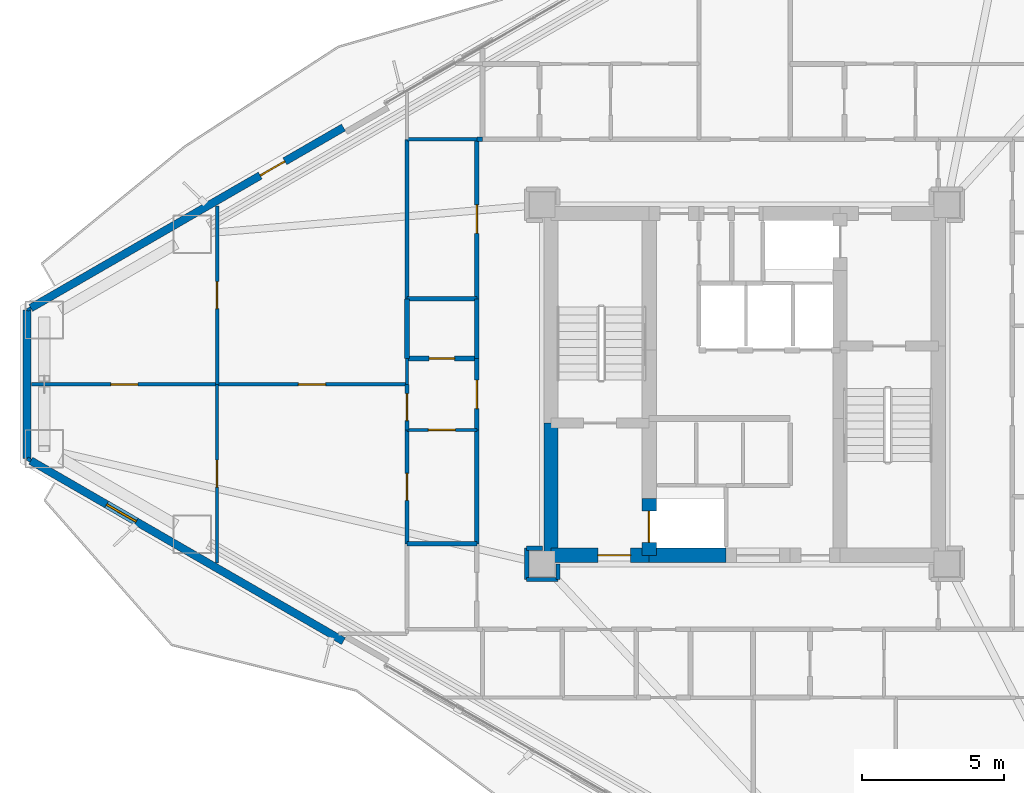
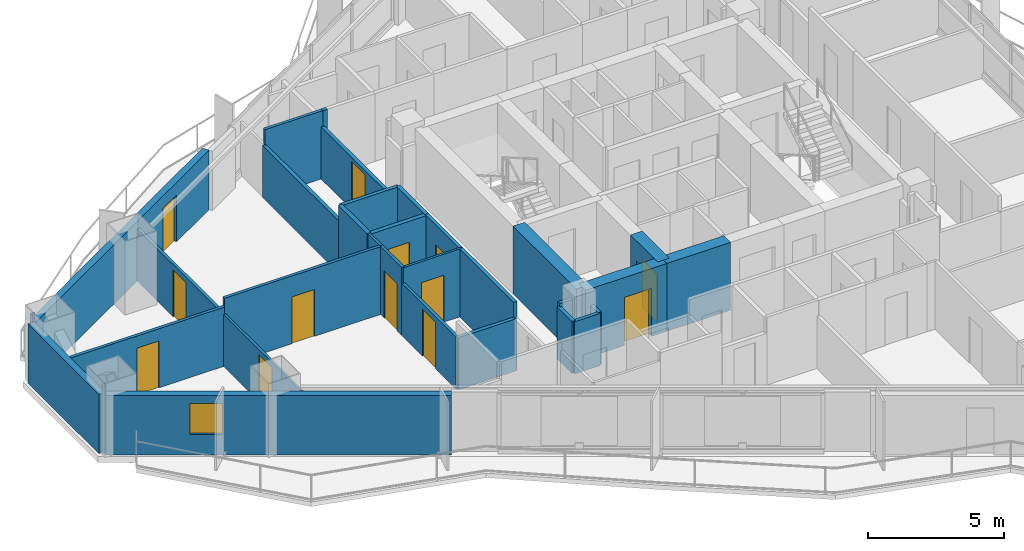
# One storey, part 13 of 19: 32 walls, 13 doors, 1 window, 14 openings.
"""IFC4 building model written with IfcOpenShell, lengths in metres."""

from ifc_helpers import new_model, si_unit, direction, frame, frame_2d, origin, place, context, subcontext, project, spatial, rectangle, extrude, material, layer, layer_set, type_object, element, fill, save


model = new_model("IFC4")

# Units and contexts
model_context = context("Model", 3, precision=1e-05, world=origin(), true_north=direction((0.0, 1.0)))
body_context = subcontext(model_context, "Body", "Model", "MODEL_VIEW")
ifc_project = project(units=[si_unit("LENGTHUNIT", "METRE"), si_unit("AREAUNIT", "SQUARE_METRE"), si_unit("VOLUMEUNIT", "CUBIC_METRE"), si_unit("PLANEANGLEUNIT", "RADIAN"), si_unit("MASSUNIT", "GRAM", prefix="KILO")], contexts=[model_context])

# Site, building, storey
site_placement = place(None, origin())
site = spatial("IfcSite", under=ifc_project, at=site_placement, CompositionType="ELEMENT")
building_placement = place(site_placement, origin())
building = spatial("IfcBuilding", under=site, at=building_placement, Name="Mersakhor Tower and Convention Hall", CompositionType="ELEMENT")
storey_placement = place(building_placement, frame((0.0, 0.0, 48.89990234375)))
storey = spatial("IfcBuildingStorey", under=building, at=storey_placement, Name="L13", CompositionType="ELEMENT", Elevation=48.89990234375)

# Wall
ifc_material_1 = material(Name="Precast concrete C45/55", Category="concrete")
ifc_layer_1 = layer(ifc_material_1, 0.27490234375)
ifc_layer_set_1 = layer_set([ifc_layer_1], Name="Precast concrete C45/55")
wall_type_1 = type_object("IfcWallType", Name="WL-EXT-275", PredefinedType="SOLIDWALL", material=ifc_layer_set_1)
wall_1_placement = place(storey_placement, frame((3.81298828125, 24.144287109375, 0.0), z_axis=(0.0, 0.0, 1.0), x_axis=(0.0, 1.0, 0.0)))
element("IfcWall", 1, at=wall_1_placement, inside=storey, type_object=wall_type_1, Name="L13 Chamfer Braced Spandrel Wall C3", PredefinedType="SOLIDWALL", context=body_context, shape_type="SweptSolid", body=[
    extrude(rectangle(XDim=5.21142578125, YDim=0.27490234375, at=frame_2d((2.605712890625, 0.0))), origin(), (0.0, 0.0, 1.0), 2.66015625),
])

# Wall, opening, door
wall_2_placement = place(storey_placement, frame((3.943115234375, 29.4306640625, 0.0), z_axis=(0.0, 0.0, 1.0), x_axis=(0.866027105532, 0.499997052475, 0.0)))
wall_2 = element("IfcWall", 2, at=wall_2_placement, inside=storey, type_object=wall_type_1, Name="L13 Exterior Facade Wall F1-B1", PredefinedType="SOLIDWALL", context=body_context, shape_type="SweptSolid", body=[
    extrude(rectangle(XDim=12.6728515625, YDim=0.27490234375, at=frame_2d((6.33642578125, 0.0))), origin(), (0.0, 0.0, 1.0), 2.66015625),
])
opening_1_placement = place(wall_2_placement, frame((9.298095703125, 0.0, 0.0)))
opening_1 = element("IfcOpeningElement", 3, at=opening_1_placement, cuts=wall_2, Name="Opening BD-01", PredefinedType="OPENING", context=body_context, shape_type="SweptSolid", body=[
    extrude(rectangle(XDim=1.0, YDim=2.10009765625, at=frame_2d((0.5, 1.050048828125))), frame((0.0, 0.1474609375, 0.0), z_axis=(0.0, -1.0, 0.0), x_axis=(1.0, 0.0, 0.0)), (0.0, 0.0, 1.0), 0.294921875),
])
ifc_material_2 = material(Name="Thermally broken dark aluminium and safety glass", Category="aluminium")
door_type_1 = type_object("IfcDoorType", Name="DR-BAL-100x210", OperationType="NOTDEFINED", PredefinedType="DOOR", material=ifc_material_2)
door_1_placement = place(opening_1_placement, origin())
door_1 = element("IfcDoor", 4, at=door_1_placement, inside=storey, type_object=door_type_1, Name="L13 Balcony Terrace Door F1-B1", OperationType="SINGLE_SWING_LEFT", OverallHeight=2.10009765625, OverallWidth=1.0, PredefinedType="DOOR", context=body_context, shape_type="SweptSolid", body=[
    extrude(rectangle(XDim=1.0, YDim=2.10009765625, at=frame_2d((0.5, 1.050048828125))), frame((0.0, 0.02490234375, 0.0), z_axis=(0.0, -1.0, 0.0), x_axis=(1.0, 0.0, 0.0)), (0.0, 0.0, 1.0), 0.050048828125),
])
fill(opening_1, door_1)

# Wall, opening, window
wall_3_placement = place(storey_placement, frame((14.918212890625, 17.73291015625, 0.0), z_axis=(0.0, 0.0, 1.0), x_axis=(-0.866027105532, 0.499997052475, 0.0)))
wall_3 = element("IfcWall", 5, at=wall_3_placement, inside=storey, type_object=wall_type_1, Name="L13 Exterior Facade Wall F3-B3", PredefinedType="SOLIDWALL", context=body_context, shape_type="SweptSolid", body=[
    extrude(rectangle(XDim=12.6728515625, YDim=0.27490234375, at=frame_2d((6.33642578125, 0.0))), origin(), (0.0, 0.0, 1.0), 2.66015625),
])
opening_2_placement = place(wall_3_placement, frame((8.402099609375, 0.0, 0.89990234375)))
opening_2 = element("IfcOpeningElement", 6, at=opening_2_placement, cuts=wall_3, Name="Opening W-01", PredefinedType="OPENING", context=body_context, shape_type="SweptSolid", body=[
    extrude(rectangle(XDim=1.199951171875, YDim=1.39990234375, at=frame_2d((0.60009765625, 0.699951171875))), frame((0.0, 0.1474609375, 0.0), z_axis=(0.0, -1.0, 0.0), x_axis=(1.0, 0.0, 0.0)), (0.0, 0.0, 1.0), 0.294921875),
])
ifc_material_3 = material(Name="Dark solar low-E glazed aluminium window", Category="aluminium")
window_type = type_object("IfcWindowType", Name="WN-RES-120x150", PartitioningType="SINGLE_PANEL", PredefinedType="WINDOW", material=ifc_material_3)
window_placement = place(opening_2_placement, origin())
window = element("IfcWindow", 7, at=window_placement, inside=storey, type_object=window_type, Name="L13 Bedroom Facade Window F3-B3-1", OverallHeight=1.39990234375, OverallWidth=1.199951171875, PartitioningType="SINGLE_PANEL", PredefinedType="WINDOW", context=body_context, shape_type="SweptSolid", body=[
    extrude(rectangle(XDim=1.199951171875, YDim=1.39990234375, at=frame_2d((0.60009765625, 0.699951171875))), frame((0.0, 0.030029296875, 0.0), z_axis=(0.0, -1.0, 0.0), x_axis=(1.0, 0.0, 0.0)), (0.0, 0.0, 1.0), 0.06005859375),
])
fill(opening_2, window)

# Wall, opening, door
ifc_material_4 = material(Name="Moisture-resistant acoustic drywall studwork", Category="other")
ifc_layer_2 = layer(ifc_material_4, 0.175048828125)
ifc_layer_set_2 = layer_set([ifc_layer_2], Name="Moisture-resistant acoustic drywall studwork")
wall_type_2 = type_object("IfcWallType", Name="WL-PLM-175", PredefinedType="PLUMBINGWALL", material=ifc_layer_set_2)
wall_4_placement = place(storey_placement, frame((17.14990234375, 27.64990234375, 0.0), z_axis=(0.0, 0.0, 1.0), x_axis=(1.0, 0.0, 0.0)))
wall_4 = element("IfcWall", 8, at=wall_4_placement, inside=storey, type_object=wall_type_2, Name="L13 Interior Partition Wall P-077", PredefinedType="PLUMBINGWALL", context=body_context, shape_type="SweptSolid", body=[
    extrude(rectangle(XDim=2.4501953125, YDim=0.175048828125, at=frame_2d((1.22509765625, 0.0))), origin(), (0.0, 0.0, 1.0), 3.0400390625),
])
opening_3_placement = place(wall_4_placement, frame((0.77490234375, 0.0, 0.0)))
opening_3 = element("IfcOpeningElement", 9, at=opening_3_placement, cuts=wall_4, Name="Opening WD-01", PredefinedType="OPENING", context=body_context, shape_type="SweptSolid", body=[
    extrude(rectangle(XDim=0.89990234375, YDim=2.10009765625, at=frame_2d((0.449951171875, 1.050048828125))), frame((0.0, 0.097412109375, 0.0), z_axis=(0.0, -1.0, 0.0), x_axis=(1.0, 0.0, 0.0)), (0.0, 0.0, 1.0), 0.195068359375),
])
ifc_material_5 = material(Name="Solid-core hardwood leaf in painted steel frame", Category="steel")
door_type_2 = type_object("IfcDoorType", Name="DR-INT-WET-090x210", OperationType="NOTDEFINED", PredefinedType="DOOR", material=ifc_material_5)
door_2_placement = place(opening_3_placement, origin())
door_2 = element("IfcDoor", 10, at=door_2_placement, inside=storey, type_object=door_type_2, Name="L13 L13 Flat W5 Apartment Hall to L13 Flat W5 Bathroom Door", OperationType="SINGLE_SWING_LEFT", OverallHeight=2.10009765625, OverallWidth=0.89990234375, PredefinedType="DOOR", context=body_context, shape_type="SweptSolid", body=[
    extrude(rectangle(XDim=0.89990234375, YDim=2.10009765625, at=frame_2d((0.449951171875, 1.050048828125))), frame((0.0, 0.02490234375, 0.0), z_axis=(0.0, -1.0, 0.0), x_axis=(1.0, 0.0, 0.0)), (0.0, 0.0, 1.0), 0.050048828125),
])
fill(opening_3, door_2)

# Walls
wall_5_placement = place(storey_placement, frame((17.14990234375, 27.64990234375, 0.0), z_axis=(0.0, 0.0, 1.0), x_axis=(0.0, 1.0, 0.0)))
element("IfcWall", 11, at=wall_5_placement, inside=storey, type_object=wall_type_2, Name="L13 Interior Partition Wall P-095", PredefinedType="PLUMBINGWALL", context=body_context, shape_type="SweptSolid", body=[
    extrude(rectangle(XDim=2.10009765625, YDim=0.175048828125, at=frame_2d((1.050048828125, 0.0))), origin(), (0.0, 0.0, 1.0), 3.0400390625),
])
ifc_material_6 = material(Name="Lightweight gypsum partition", Category="other")
ifc_layer_3 = layer(ifc_material_6, 0.10009765625)
ifc_layer_set_3 = layer_set([ifc_layer_3], Name="Lightweight gypsum partition")
wall_type_3 = type_object("IfcWallType", Name="WL-PRT-100", PredefinedType="PARTITIONING", material=ifc_layer_set_3)
wall_6_placement = place(storey_placement, frame((17.14990234375, 26.75, 0.0), z_axis=(0.0, 0.0, 1.0), x_axis=(0.0, 1.0, 0.0)))
element("IfcWall", 12, at=wall_6_placement, inside=storey, type_object=wall_type_3, Name="L13 Interior Partition Wall P-076", PredefinedType="PARTITIONING", context=body_context, shape_type="SweptSolid", body=[
    extrude(rectangle(XDim=0.89990234375, YDim=0.10009765625, at=frame_2d((0.449951171875, 0.0))), origin(), (0.0, 0.0, 1.0), 3.0400390625),
])

# Wall, opening, door
wall_7_placement = place(storey_placement, frame((19.60009765625, 25.14990234375, 0.0), z_axis=(0.0, 0.0, 1.0), x_axis=(-1.0, 0.0, 0.0)))
wall_7 = element("IfcWall", 13, at=wall_7_placement, inside=storey, type_object=wall_type_3, Name="L13 Interior Partition Wall P-078", PredefinedType="PARTITIONING", context=body_context, shape_type="SweptSolid", body=[
    extrude(rectangle(XDim=2.4501953125, YDim=0.10009765625, at=frame_2d((1.22509765625, 0.0))), origin(), (0.0, 0.0, 1.0), 3.0400390625),
])
opening_4_placement = place(wall_7_placement, frame((0.75, 0.0, 0.0)))
opening_4 = element("IfcOpeningElement", 14, at=opening_4_placement, cuts=wall_7, Name="Opening RD-01", PredefinedType="OPENING", context=body_context, shape_type="SweptSolid", body=[
    extrude(rectangle(XDim=0.949951171875, YDim=2.10009765625, at=frame_2d((0.47509765625, 1.050048828125))), frame((0.0, 0.06005859375, 0.0), z_axis=(0.0, -1.0, 0.0), x_axis=(1.0, 0.0, 0.0)), (0.0, 0.0, 1.0), 0.1201171875),
])
ifc_material_7 = material(Name="Solid-core hardwood leaf in painted steel frame", Category="steel")
door_type_3 = type_object("IfcDoorType", Name="DR-INT-RM-095x210", OperationType="NOTDEFINED", PredefinedType="DOOR", material=ifc_material_7)
door_3_placement = place(opening_4_placement, origin())
door_3 = element("IfcDoor", 15, at=door_3_placement, inside=storey, type_object=door_type_3, Name="L13 L13 Flat W5 Apartment Hall to L13 Flat W5 Kitchen Door", OperationType="SINGLE_SWING_RIGHT", OverallHeight=2.10009765625, OverallWidth=0.949951171875, PredefinedType="DOOR", context=body_context, shape_type="SweptSolid", body=[
    extrude(rectangle(XDim=0.949951171875, YDim=2.10009765625, at=frame_2d((0.47509765625, 1.050048828125))), frame((0.0, 0.02490234375, 0.0), z_axis=(0.0, -1.0, 0.0), x_axis=(1.0, 0.0, 0.0)), (0.0, 0.0, 1.0), 0.050048828125),
])
fill(opening_4, door_3)

# Wall
wall_8_placement = place(storey_placement, frame((3.81298828125, 29.35595703125, 0.0), z_axis=(0.0, 0.0, 1.0), x_axis=(0.866131372301, 0.499816412211, 0.0)))
element("IfcWall", 16, at=wall_8_placement, inside=storey, type_object=wall_type_3, Name="L13 Interior Partition Wall P-124", PredefinedType="PARTITIONING", context=body_context, shape_type="SweptSolid", body=[
    extrude(rectangle(XDim=0.14990234375, YDim=0.10009765625, at=frame_2d((0.074951171875, 0.0))), origin(), (0.0, 0.0, 1.0), 3.0400390625),
])

# Wall, opening, door
wall_9_placement = place(storey_placement, frame((10.47998046875, 26.75, 0.0), z_axis=(0.0, 0.0, 1.0), x_axis=(0.0, -1.0, 0.0)))
wall_9 = element("IfcWall", 17, at=wall_9_placement, inside=storey, type_object=wall_type_3, Name="L13 Interior Partition Wall P-128", PredefinedType="PARTITIONING", context=body_context, shape_type="SweptSolid", body=[
    extrude(rectangle(XDim=6.268310546875, YDim=0.10009765625, at=frame_2d((3.13427734375, 0.0))), origin(), (0.0, 0.0, 1.0), 2.337646484375),
])
opening_5_placement = place(wall_9_placement, frame((2.6591796875, 0.0, 0.0)))
opening_5 = element("IfcOpeningElement", 18, at=opening_5_placement, cuts=wall_9, Name="Opening RD-01", PredefinedType="OPENING", context=body_context, shape_type="SweptSolid", body=[
    extrude(rectangle(XDim=0.949951171875, YDim=2.10009765625, at=frame_2d((0.47509765625, 1.050048828125))), frame((0.0, 0.06005859375, 0.0), z_axis=(0.0, -1.0, 0.0), x_axis=(1.0, 0.0, 0.0)), (0.0, 0.0, 1.0), 0.1201171875),
])
door_4_placement = place(opening_5_placement, origin())
door_4 = element("IfcDoor", 19, at=door_4_placement, inside=storey, type_object=door_type_3, Name="L13 L13 Flat W5 Master Bedroom to L13 Flat W5 Dining Room Door", OperationType="SINGLE_SWING_RIGHT", OverallHeight=2.10009765625, OverallWidth=0.949951171875, PredefinedType="DOOR", context=body_context, shape_type="SweptSolid", body=[
    extrude(rectangle(XDim=0.949951171875, YDim=2.10009765625, at=frame_2d((0.47509765625, 1.050048828125))), frame((0.0, 0.02490234375, 0.0), z_axis=(0.0, -1.0, 0.0), x_axis=(1.0, 0.0, 0.0)), (0.0, 0.0, 1.0), 0.050048828125),
])
fill(opening_5, door_4)

ifc_material_8 = material(Name="Gypsum board acoustic partition", Category="other")
ifc_layer_4 = layer(ifc_material_8, 0.125)
ifc_layer_set_4 = layer_set([ifc_layer_4], Name="Gypsum board acoustic partition")
wall_type_4 = type_object("IfcWallType", Name="WL-PRT-125", PredefinedType="PARTITIONING", material=ifc_layer_set_4)
wall_10_placement = place(storey_placement, frame((17.14990234375, 25.14990234375, 0.0), z_axis=(0.0, 0.0, 1.0), x_axis=(0.0, 1.0, 0.0)))
wall_10 = element("IfcWall", 20, at=wall_10_placement, inside=storey, type_object=wall_type_4, Name="L13 Interior Partition Wall P-075", PredefinedType="PARTITIONING", context=body_context, shape_type="SweptSolid", body=[
    extrude(rectangle(XDim=1.60009765625, YDim=0.125, at=frame_2d((0.800048828125, 0.0))), origin(), (0.0, 0.0, 1.0), 3.0400390625),
])
opening_6_placement = place(wall_10_placement, frame((0.324951171875, 0.0, 0.0)))
opening_6 = element("IfcOpeningElement", 21, at=opening_6_placement, cuts=wall_10, Name="Opening RD-01", PredefinedType="OPENING", context=body_context, shape_type="SweptSolid", body=[
    extrude(rectangle(XDim=0.949951171875, YDim=2.10009765625, at=frame_2d((0.47509765625, 1.050048828125))), frame((0.0, 0.072509765625, 0.0), z_axis=(0.0, -1.0, 0.0), x_axis=(1.0, 0.0, 0.0)), (0.0, 0.0, 1.0), 0.14501953125),
])
door_5_placement = place(opening_6_placement, origin())
door_5 = element("IfcDoor", 22, at=door_5_placement, inside=storey, type_object=door_type_3, Name="L13 L13 Flat W5 Apartment Hall to L13 Flat W5 Dining Room Door", OperationType="SINGLE_SWING_LEFT", OverallHeight=2.10009765625, OverallWidth=0.949951171875, PredefinedType="DOOR", context=body_context, shape_type="SweptSolid", body=[
    extrude(rectangle(XDim=0.949951171875, YDim=2.10009765625, at=frame_2d((0.47509765625, 1.050048828125))), frame((0.0, 0.02490234375, 0.0), z_axis=(0.0, -1.0, 0.0), x_axis=(1.0, 0.0, 0.0)), (0.0, 0.0, 1.0), 0.050048828125),
])
fill(opening_6, door_5)

wall_11_placement = place(storey_placement, frame((17.14990234375, 21.14990234375, 0.0), z_axis=(0.0, 0.0, 1.0), x_axis=(0.0, 1.0, 0.0)))
wall_11 = element("IfcWall", 23, at=wall_11_placement, inside=storey, type_object=wall_type_4, Name="L13 Interior Partition Wall P-097", PredefinedType="PARTITIONING", context=body_context, shape_type="SweptSolid", body=[
    extrude(rectangle(XDim=4.0, YDim=0.125, at=frame_2d((2.0, 0.0))), origin(), (0.0, 0.0, 1.0), 2.337646484375),
])
opening_7_placement = place(wall_11_placement, frame((1.52490234375, 0.0, 0.0)))
opening_7 = element("IfcOpeningElement", 24, at=opening_7_placement, cuts=wall_11, Name="Opening RD-01", PredefinedType="OPENING", context=body_context, shape_type="SweptSolid", body=[
    extrude(rectangle(XDim=0.949951171875, YDim=2.10009765625, at=frame_2d((0.47509765625, 1.050048828125))), frame((0.0, 0.072509765625, 0.0), z_axis=(0.0, -1.0, 0.0), x_axis=(1.0, 0.0, 0.0)), (0.0, 0.0, 1.0), 0.14501953125),
])
door_6_placement = place(opening_7_placement, origin())
door_6 = element("IfcDoor", 25, at=door_6_placement, inside=storey, type_object=door_type_3, Name="L13 L13 Flat W5 Kitchen to L13 Flat W5 Dining Room Door", OperationType="SINGLE_SWING_LEFT", OverallHeight=2.10009765625, OverallWidth=0.949951171875, PredefinedType="DOOR", context=body_context, shape_type="SweptSolid", body=[
    extrude(rectangle(XDim=0.949951171875, YDim=2.10009765625, at=frame_2d((0.47509765625, 1.050048828125))), frame((0.0, 0.02490234375, 0.0), z_axis=(0.0, -1.0, 0.0), x_axis=(1.0, 0.0, 0.0)), (0.0, 0.0, 1.0), 0.050048828125),
])
fill(opening_7, door_6)

# Wall
wall_12_placement = place(storey_placement, frame((17.14990234375, 35.35009765625, 0.0), z_axis=(0.0, 0.0, 1.0), x_axis=(1.0, 0.0, 0.0)))
element("IfcWall", 26, at=wall_12_placement, inside=storey, type_object=wall_type_4, Name="L13 Interior Partition Wall P-103", PredefinedType="PARTITIONING", context=body_context, shape_type="SweptSolid", body=[
    extrude(rectangle(XDim=2.4501953125, YDim=0.125, at=frame_2d((1.22509765625, 0.0))), origin(), (0.0, 0.0, 1.0), 3.0400390625),
])

# Wall, opening, door
wall_13_placement = place(storey_placement, frame((10.47998046875, 26.75, 0.0), z_axis=(0.0, 0.0, 1.0), x_axis=(-1.0, 0.0, 0.0)))
wall_13 = element("IfcWall", 27, at=wall_13_placement, inside=storey, type_object=wall_type_4, Name="L13 Interior Partition Wall P-123", PredefinedType="PARTITIONING", context=body_context, shape_type="SweptSolid", body=[
    extrude(rectangle(XDim=6.50537109375, YDim=0.125, at=frame_2d((3.252685546875, 0.0))), origin(), (0.0, 0.0, 1.0), 2.650390625),
])
opening_8_placement = place(wall_13_placement, frame((2.777587890625, 0.0, 0.0)))
opening_8 = element("IfcOpeningElement", 28, at=opening_8_placement, cuts=wall_13, Name="Opening RD-01", PredefinedType="OPENING", context=body_context, shape_type="SweptSolid", body=[
    extrude(rectangle(XDim=0.949951171875, YDim=2.10009765625, at=frame_2d((0.47509765625, 1.050048828125))), frame((0.0, 0.072509765625, 0.0), z_axis=(0.0, -1.0, 0.0), x_axis=(1.0, 0.0, 0.0)), (0.0, 0.0, 1.0), 0.14501953125),
])
door_7_placement = place(opening_8_placement, origin())
door_7 = element("IfcDoor", 29, at=door_7_placement, inside=storey, type_object=door_type_3, Name="L13 L13 Flat W5 Living and Dining Room to L13 Flat W5 Master Bedroom Door", OperationType="SINGLE_SWING_RIGHT", OverallHeight=2.10009765625, OverallWidth=0.949951171875, PredefinedType="DOOR", context=body_context, shape_type="SweptSolid", body=[
    extrude(rectangle(XDim=0.949951171875, YDim=2.10009765625, at=frame_2d((0.47509765625, 1.050048828125))), frame((0.0, 0.02490234375, 0.0), z_axis=(0.0, -1.0, 0.0), x_axis=(1.0, 0.0, 0.0)), (0.0, 0.0, 1.0), 0.050048828125),
])
fill(opening_8, door_7)

wall_14_placement = place(storey_placement, frame((10.47998046875, 33.018310546875, 0.0), z_axis=(0.0, 0.0, 1.0), x_axis=(0.0, -1.0, 0.0)))
wall_14 = element("IfcWall", 30, at=wall_14_placement, inside=storey, type_object=wall_type_4, Name="L13 Interior Partition Wall P-125", PredefinedType="PARTITIONING", context=body_context, shape_type="SweptSolid", body=[
    extrude(rectangle(XDim=6.268310546875, YDim=0.125, at=frame_2d((3.13427734375, 0.0))), origin(), (0.0, 0.0, 1.0), 2.337646484375),
])
opening_9_placement = place(wall_14_placement, frame((2.6591796875, 0.0, 0.0)))
opening_9 = element("IfcOpeningElement", 31, at=opening_9_placement, cuts=wall_14, Name="Opening RD-01", PredefinedType="OPENING", context=body_context, shape_type="SweptSolid", body=[
    extrude(rectangle(XDim=0.949951171875, YDim=2.10009765625, at=frame_2d((0.47509765625, 1.050048828125))), frame((0.0, 0.072509765625, 0.0), z_axis=(0.0, -1.0, 0.0), x_axis=(1.0, 0.0, 0.0)), (0.0, 0.0, 1.0), 0.14501953125),
])
door_8_placement = place(opening_9_placement, origin())
door_8 = element("IfcDoor", 32, at=door_8_placement, inside=storey, type_object=door_type_3, Name="L13 L13 Flat W5 Living and Dining Room to L13 Flat W5 Dining Room Door", OperationType="SINGLE_SWING_LEFT", OverallHeight=2.10009765625, OverallWidth=0.949951171875, PredefinedType="DOOR", context=body_context, shape_type="SweptSolid", body=[
    extrude(rectangle(XDim=0.949951171875, YDim=2.10009765625, at=frame_2d((0.47509765625, 1.050048828125))), frame((0.0, 0.02490234375, 0.0), z_axis=(0.0, -1.0, 0.0), x_axis=(1.0, 0.0, 0.0)), (0.0, 0.0, 1.0), 0.050048828125),
])
fill(opening_9, door_8)

wall_15_placement = place(storey_placement, frame((17.14990234375, 26.75, 0.0), z_axis=(0.0, 0.0, 1.0), x_axis=(-1.0, 0.0, 0.0)))
wall_15 = element("IfcWall", 33, at=wall_15_placement, inside=storey, type_object=wall_type_4, Name="L13 Interior Partition Wall P-127", PredefinedType="PARTITIONING", context=body_context, shape_type="SweptSolid", body=[
    extrude(rectangle(XDim=6.669921875, YDim=0.125, at=frame_2d((3.3349609375, 0.0))), origin(), (0.0, 0.0, 1.0), 3.0400390625),
])
opening_10_placement = place(wall_15_placement, frame((2.860107421875, 0.0, 0.0)))
opening_10 = element("IfcOpeningElement", 34, at=opening_10_placement, cuts=wall_15, Name="Opening RD-01", PredefinedType="OPENING", context=body_context, shape_type="SweptSolid", body=[
    extrude(rectangle(XDim=0.949951171875, YDim=2.10009765625, at=frame_2d((0.47509765625, 1.050048828125))), frame((0.0, 0.072509765625, 0.0), z_axis=(0.0, -1.0, 0.0), x_axis=(1.0, 0.0, 0.0)), (0.0, 0.0, 1.0), 0.14501953125),
])
door_9_placement = place(opening_10_placement, origin())
door_9 = element("IfcDoor", 35, at=door_9_placement, inside=storey, type_object=door_type_3, Name="L13 L13 Flat W5 Dining Room to L13 Flat W5 Dining Room Door", OperationType="SINGLE_SWING_LEFT", OverallHeight=2.10009765625, OverallWidth=0.949951171875, PredefinedType="DOOR", context=body_context, shape_type="SweptSolid", body=[
    extrude(rectangle(XDim=0.949951171875, YDim=2.10009765625, at=frame_2d((0.47509765625, 1.050048828125))), frame((0.0, 0.02490234375, 0.0), z_axis=(0.0, -1.0, 0.0), x_axis=(1.0, 0.0, 0.0)), (0.0, 0.0, 1.0), 0.050048828125),
])
fill(opening_10, door_9)

# Walls
wall_16_placement = place(storey_placement, frame((3.94287109375, 24.069091796875, 0.0), z_axis=(0.0, 0.0, 1.0), x_axis=(-0.866131372301, 0.499816412211, 0.0)))
element("IfcWall", 36, at=wall_16_placement, inside=storey, type_object=wall_type_4, Name="L13 Interior Partition Wall P-129", PredefinedType="PARTITIONING", context=body_context, shape_type="SweptSolid", body=[
    extrude(rectangle(XDim=0.14990234375, YDim=0.125, at=frame_2d((0.074951171875, 0.0))), origin(), (0.0, 0.0, 1.0), 3.0400390625),
])
ifc_material_9 = material(Name="Fire-rated gypsum board stud partition", Category="other")
ifc_layer_5 = layer(ifc_material_9, 0.14990234375)
ifc_layer_set_5 = layer_set([ifc_layer_5], Name="Fire-rated gypsum board stud partition")
wall_type_5 = type_object("IfcWallType", Name="WL-PRT-150", PredefinedType="PARTITIONING", material=ifc_layer_set_5)
wall_17_placement = place(storey_placement, frame((21.35009765625, 19.89990234375, 0.0), z_axis=(0.0, 0.0, 1.0), x_axis=(1.0, 0.0, 0.0)))
element("IfcWall", 37, at=wall_17_placement, inside=storey, type_object=wall_type_5, Name="L13 Interior Partition Wall P-019", PredefinedType="PARTITIONING", context=body_context, shape_type="SweptSolid", body=[
    extrude(rectangle(XDim=1.099853515625, YDim=0.14990234375, at=frame_2d((0.5498046875, 0.0))), origin(), (0.0, 0.0, 1.0), 2.337646484375),
])
wall_18_placement = place(storey_placement, frame((22.449951171875, 19.89990234375, 0.0), z_axis=(0.0, 0.0, 1.0), x_axis=(0.0, 1.0, 0.0)))
element("IfcWall", 38, at=wall_18_placement, inside=storey, type_object=wall_type_5, Name="L13 Interior Partition Wall P-020", PredefinedType="PARTITIONING", context=body_context, shape_type="SweptSolid", body=[
    extrude(rectangle(XDim=0.550048828125, YDim=0.14990234375, at=frame_2d((0.27490234375, 0.0))), origin(), (0.0, 0.0, 1.0), 2.337646484375),
])
wall_19_placement = place(storey_placement, frame((19.60009765625, 21.14990234375, 0.0), z_axis=(0.0, 0.0, 1.0), x_axis=(0.0, 1.0, 0.0)))
element("IfcWall", 39, at=wall_19_placement, inside=storey, type_object=wall_type_5, Name="L13 Interior Partition Wall P-033", PredefinedType="PARTITIONING", context=body_context, shape_type="SweptSolid", body=[
    extrude(rectangle(XDim=4.0, YDim=0.14990234375, at=frame_2d((2.0, 0.0))), origin(), (0.0, 0.0, 1.0), 3.0400390625),
])

# Wall, opening, door
wall_20_placement = place(storey_placement, frame((19.60009765625, 25.14990234375, 0.0), z_axis=(0.0, 0.0, 1.0), x_axis=(0.0, 1.0, 0.0)))
wall_20 = element("IfcWall", 40, at=wall_20_placement, inside=storey, type_object=wall_type_5, Name="L13 Interior Partition Wall P-034", PredefinedType="PARTITIONING", context=body_context, shape_type="SweptSolid", body=[
    extrude(rectangle(XDim=2.5, YDim=0.14990234375, at=frame_2d((1.25, 0.0))), origin(), (0.0, 0.0, 1.0), 3.0400390625),
])
opening_11_placement = place(wall_20_placement, frame((0.75, 0.0, 0.0)))
opening_11 = element("IfcOpeningElement", 41, at=opening_11_placement, cuts=wall_20, Name="Opening FD-01", PredefinedType="OPENING", context=body_context, shape_type="SweptSolid", body=[
    extrude(rectangle(XDim=1.0, YDim=2.14990234375, at=frame_2d((0.5, 1.074951171875))), frame((0.0, 0.0849609375, 0.0), z_axis=(0.0, -1.0, 0.0), x_axis=(1.0, 0.0, 0.0)), (0.0, 0.0, 1.0), 0.169921875),
])
ifc_material_10 = material(Name="Fire-rated hardwood leaf and painted steel frame", Category="steel")
door_type_4 = type_object("IfcDoorType", Name="DR-INT-FLT-100x215", OperationType="NOTDEFINED", PredefinedType="DOOR", material=ifc_material_10)
door_10_placement = place(opening_11_placement, origin())
door_10 = element("IfcDoor", 42, at=door_10_placement, inside=storey, type_object=door_type_4, Name="L13 Apartment Entrance Door (Residential Ring Corridor to L13 Flat W5 Apartment Hall)", OperationType="SINGLE_SWING_LEFT", OverallHeight=2.14990234375, OverallWidth=1.0, PredefinedType="DOOR", context=body_context, shape_type="SweptSolid", body=[
    extrude(rectangle(XDim=1.0, YDim=2.14990234375, at=frame_2d((0.5, 1.074951171875))), frame((0.0, 0.02490234375, 0.0), z_axis=(0.0, -1.0, 0.0), x_axis=(1.0, 0.0, 0.0)), (0.0, 0.0, 1.0), 0.050048828125),
])
fill(opening_11, door_10)

# Wall
wall_21_placement = place(storey_placement, frame((19.60009765625, 27.64990234375, 0.0), z_axis=(0.0, 0.0, 1.0), x_axis=(0.0, 1.0, 0.0)))
element("IfcWall", 43, at=wall_21_placement, inside=storey, type_object=wall_type_5, Name="L13 Interior Partition Wall P-035", PredefinedType="PARTITIONING", context=body_context, shape_type="SweptSolid", body=[
    extrude(rectangle(XDim=2.10009765625, YDim=0.14990234375, at=frame_2d((1.050048828125, 0.0))), origin(), (0.0, 0.0, 1.0), 3.0400390625),
])

# Wall, opening, door
wall_22_placement = place(storey_placement, frame((19.60009765625, 29.75, 0.0), z_axis=(0.0, 0.0, 1.0), x_axis=(0.0, 1.0, 0.0)))
wall_22 = element("IfcWall", 44, at=wall_22_placement, inside=storey, type_object=wall_type_5, Name="L13 Interior Partition Wall P-036", PredefinedType="PARTITIONING", context=body_context, shape_type="SweptSolid", body=[
    extrude(rectangle(XDim=5.60009765625, YDim=0.14990234375, at=frame_2d((2.800048828125, 0.0))), origin(), (0.0, 0.0, 1.0), 2.337646484375),
])
opening_12_placement = place(wall_22_placement, frame((2.300048828125, 0.0, 0.0)))
opening_12 = element("IfcOpeningElement", 45, at=opening_12_placement, cuts=wall_22, Name="Opening FD-01", PredefinedType="OPENING", context=body_context, shape_type="SweptSolid", body=[
    extrude(rectangle(XDim=1.0, YDim=2.14990234375, at=frame_2d((0.5, 1.074951171875))), frame((0.0, 0.0849609375, 0.0), z_axis=(0.0, -1.0, 0.0), x_axis=(1.0, 0.0, 0.0)), (0.0, 0.0, 1.0), 0.169921875),
])
door_11_placement = place(opening_12_placement, origin())
door_11 = element("IfcDoor", 46, at=door_11_placement, inside=storey, type_object=door_type_4, Name="L13 Residential Ring Corridor to L13 West Wing Shared Study Room Door", OperationType="SINGLE_SWING_RIGHT", OverallHeight=2.14990234375, OverallWidth=1.0, PredefinedType="DOOR", context=body_context, shape_type="SweptSolid", body=[
    extrude(rectangle(XDim=1.0, YDim=2.14990234375, at=frame_2d((0.5, 1.074951171875))), frame((0.0, 0.02490234375, 0.0), z_axis=(0.0, -1.0, 0.0), x_axis=(1.0, 0.0, 0.0)), (0.0, 0.0, 1.0), 0.050048828125),
])
fill(opening_12, door_11)

# Walls
wall_23_placement = place(storey_placement, frame((19.60009765625, 35.35009765625, 0.0), z_axis=(0.0, 0.0, 1.0), x_axis=(1.0, 0.0, 0.0)))
element("IfcWall", 47, at=wall_23_placement, inside=storey, type_object=wall_type_5, Name="L13 Interior Partition Wall P-037", PredefinedType="PARTITIONING", context=body_context, shape_type="SweptSolid", body=[
    extrude(rectangle(XDim=0.199951171875, YDim=0.14990234375, at=frame_2d((0.10009765625, 0.0))), origin(), (0.0, 0.0, 1.0), 3.0400390625),
])
wall_24_placement = place(storey_placement, frame((21.89990234375, 21.0, 0.0), z_axis=(0.0, 0.0, 1.0), x_axis=(-1.0, 0.0, 0.0)))
element("IfcWall", 48, at=wall_24_placement, inside=storey, type_object=wall_type_5, Name="L13 Interior Partition Wall P-052", PredefinedType="PARTITIONING", context=body_context, shape_type="SweptSolid", body=[
    extrude(rectangle(XDim=0.5498046875, YDim=0.14990234375, at=frame_2d((0.27490234375, 0.0))), origin(), (0.0, 0.0, 1.0), 2.48828125),
])
wall_25_placement = place(storey_placement, frame((21.35009765625, 21.0, 0.0), z_axis=(0.0, 0.0, 1.0), x_axis=(0.0, -1.0, 0.0)))
element("IfcWall", 49, at=wall_25_placement, inside=storey, type_object=wall_type_5, Name="L13 Interior Partition Wall P-053", PredefinedType="PARTITIONING", context=body_context, shape_type="SweptSolid", body=[
    extrude(rectangle(XDim=1.10009765625, YDim=0.14990234375, at=frame_2d((0.550048828125, 0.0))), origin(), (0.0, 0.0, 1.0), 2.337646484375),
])
wall_26_placement = place(storey_placement, frame((17.14990234375, 29.75, 0.0), z_axis=(0.0, 0.0, 1.0), x_axis=(1.0, 0.0, 0.0)))
element("IfcWall", 50, at=wall_26_placement, inside=storey, type_object=wall_type_5, Name="L13 Interior Partition Wall P-096", PredefinedType="PARTITIONING", context=body_context, shape_type="SweptSolid", body=[
    extrude(rectangle(XDim=2.4501953125, YDim=0.14990234375, at=frame_2d((1.22509765625, 0.0))), origin(), (0.0, 0.0, 1.0), 3.0400390625),
])
wall_27_placement = place(storey_placement, frame((19.60009765625, 21.14990234375, 0.0), z_axis=(0.0, 0.0, 1.0), x_axis=(-1.0, 0.0, 0.0)))
element("IfcWall", 51, at=wall_27_placement, inside=storey, type_object=wall_type_5, Name="L13 Interior Partition Wall P-098", PredefinedType="PARTITIONING", context=body_context, shape_type="SweptSolid", body=[
    extrude(rectangle(XDim=2.4501953125, YDim=0.14990234375, at=frame_2d((1.22509765625, 0.0))), origin(), (0.0, 0.0, 1.0), 2.337646484375),
])
wall_28_placement = place(storey_placement, frame((17.14990234375, 29.75, 0.0), z_axis=(0.0, 0.0, 1.0), x_axis=(0.0, 1.0, 0.0)))
element("IfcWall", 52, at=wall_28_placement, inside=storey, type_object=wall_type_5, Name="L13 Interior Partition Wall P-102", PredefinedType="PARTITIONING", context=body_context, shape_type="SweptSolid", body=[
    extrude(rectangle(XDim=5.60009765625, YDim=0.14990234375, at=frame_2d((2.800048828125, 0.0))), origin(), (0.0, 0.0, 1.0), 2.337646484375),
])
ifc_material_11 = material(Name="Concrete C70/85", Category="concrete")
ifc_layer_6 = layer(ifc_material_11, 0.5)
ifc_layer_set_6 = layer_set([ifc_layer_6], Name="Concrete C70/85")
wall_type_6 = type_object("IfcWallType", Name="WL-SHR-500", PredefinedType="SHEAR", material=ifc_layer_set_6)
wall_29_placement = place(storey_placement, frame((22.199951171875, 20.75, 0.0), z_axis=(0.0, 0.0, 1.0), x_axis=(0.0, 1.0, 0.0)))
element("IfcWall", 53, at=wall_29_placement, inside=storey, type_object=wall_type_6, Name="L13 Core Wall CW-W1", PredefinedType="SHEAR", context=body_context, shape_type="SweptSolid", body=[
    extrude(rectangle(XDim=4.64990234375, YDim=0.5, at=frame_2d((2.324951171875, 0.0))), origin(), (0.0, 0.0, 1.0), 3.0400390625),
])
wall_30_placement = place(storey_placement, frame((28.35009765625, 20.75, 0.0), z_axis=(0.0, 0.0, 1.0), x_axis=(-1.0, 0.0, 0.0)))
element("IfcWall", 54, at=wall_30_placement, inside=storey, type_object=wall_type_6, Name="L13 Core Wall CW-S3", PredefinedType="SHEAR", context=body_context, shape_type="SweptSolid", body=[
    extrude(rectangle(XDim=2.7001953125, YDim=0.5, at=frame_2d((1.35009765625, 0.0))), origin(), (0.0, 0.0, 1.0), 3.0400390625),
])

# Wall, opening, door
wall_31_placement = place(storey_placement, frame((25.64990234375, 20.75, 0.0), z_axis=(0.0, 0.0, 1.0), x_axis=(-1.0, 0.0, 0.0)))
wall_31 = element("IfcWall", 55, at=wall_31_placement, inside=storey, type_object=wall_type_6, Name="L13 Core Wall CW-S4", PredefinedType="SHEAR", context=body_context, shape_type="SweptSolid", body=[
    extrude(rectangle(XDim=3.449951171875, YDim=0.5, at=frame_2d((1.72509765625, 0.0))), origin(), (0.0, 0.0, 1.0), 3.0400390625),
])
opening_13_placement = place(wall_31_placement, frame((0.64990234375, 0.0, 0.0)))
opening_13 = element("IfcOpeningElement", 56, at=opening_13_placement, cuts=wall_31, Name="Opening SD-01", PredefinedType="OPENING", context=body_context, shape_type="SweptSolid", body=[
    extrude(rectangle(XDim=1.14990234375, YDim=2.14990234375, at=frame_2d((0.574951171875, 1.074951171875))), frame((0.0, 0.260009765625, 0.0), z_axis=(0.0, -1.0, 0.0), x_axis=(1.0, 0.0, 0.0)), (0.0, 0.0, 1.0), 0.52001953125),
])
ifc_material_12 = material(Name="Fire-rated hardwood leaf and painted steel frame", Category="steel")
door_type_5 = type_object("IfcDoorType", Name="DR-INT-STAIR-115x215", OperationType="NOTDEFINED", PredefinedType="DOOR", material=ifc_material_12)
door_12_placement = place(opening_13_placement, origin())
door_12 = element("IfcDoor", 57, at=door_12_placement, inside=storey, type_object=door_type_5, Name="L13 Firefighting Lobby West Fire Door", OperationType="SINGLE_SWING_LEFT", OverallHeight=2.14990234375, OverallWidth=1.14990234375, PredefinedType="DOOR", context=body_context, shape_type="SweptSolid", body=[
    extrude(rectangle(XDim=1.14990234375, YDim=2.14990234375, at=frame_2d((0.574951171875, 1.074951171875))), frame((0.0, 0.02490234375, 0.0), z_axis=(0.0, -1.0, 0.0), x_axis=(1.0, 0.0, 0.0)), (0.0, 0.0, 1.0), 0.050048828125),
])
fill(opening_13, door_12)

wall_32_placement = place(storey_placement, frame((25.64990234375, 20.75, 0.0), z_axis=(0.0, 0.0, 1.0), x_axis=(0.0, 1.0, 0.0)))
wall_32 = element("IfcWall", 58, at=wall_32_placement, inside=storey, type_object=wall_type_6, Name="L13 Core Wall CS-W-FFL", PredefinedType="SHEAR", context=body_context, shape_type="SweptSolid", body=[
    extrude(rectangle(XDim=2.0, YDim=0.5, at=frame_2d((1.0, 0.0))), origin(), (0.0, 0.0, 1.0), 3.0400390625),
])
opening_14_placement = place(wall_32_placement, frame((0.449951171875, 0.0, 0.0)))
opening_14 = element("IfcOpeningElement", 59, at=opening_14_placement, cuts=wall_32, Name="Opening LD-FFL1", PredefinedType="OPENING", context=body_context, shape_type="SweptSolid", body=[
    extrude(rectangle(XDim=1.10009765625, YDim=2.14990234375, at=frame_2d((0.550048828125, 1.074951171875))), frame((0.0, 0.260009765625, 0.0), z_axis=(0.0, -1.0, 0.0), x_axis=(1.0, 0.0, 0.0)), (0.0, 0.0, 1.0), 0.52001953125),
])
ifc_material_13 = material(Name="Fire-rated brushed stainless steel sliding landing door", Category="steel")
door_type_6 = type_object("IfcDoorType", Name="DR-LIFT-SLD-110x215", OperationType="NOTDEFINED", PredefinedType="DOOR", material=ifc_material_13)
door_13_placement = place(opening_14_placement, origin())
door_13 = element("IfcDoor", 60, at=door_13_placement, inside=storey, type_object=door_type_6, Name="L13 Firefighting Lift Landing Door LD-FFL1", OperationType="SLIDING_TO_LEFT", OverallHeight=2.14990234375, OverallWidth=1.10009765625, PredefinedType="DOOR", context=body_context, shape_type="SweptSolid", body=[
    extrude(rectangle(XDim=1.10009765625, YDim=2.14990234375, at=frame_2d((0.550048828125, 1.074951171875))), frame((0.0, 0.02490234375, 0.0), z_axis=(0.0, -1.0, 0.0), x_axis=(1.0, 0.0, 0.0)), (0.0, 0.0, 1.0), 0.050048828125),
])
fill(opening_14, door_13)

save(model, "model.ifc")
